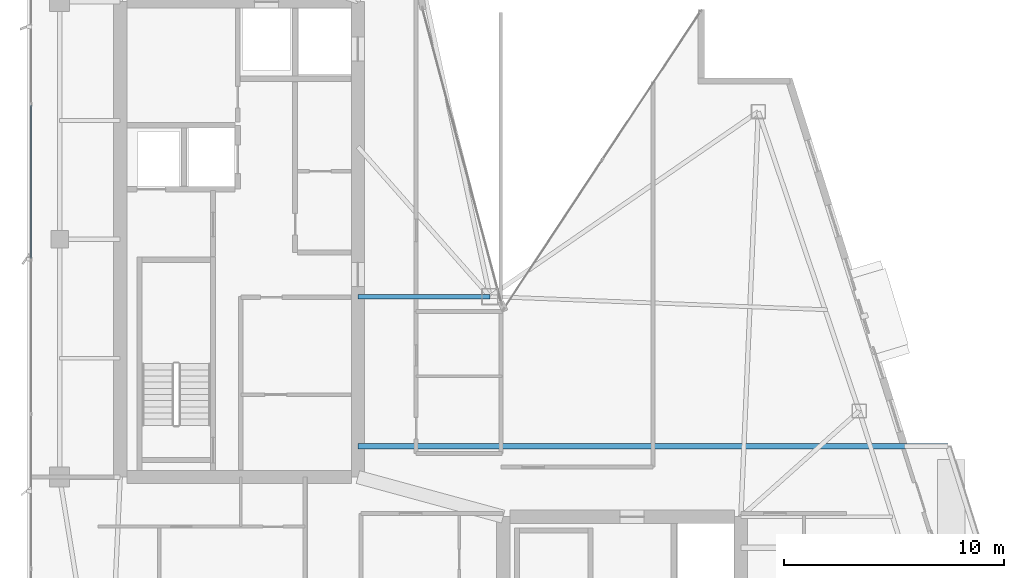
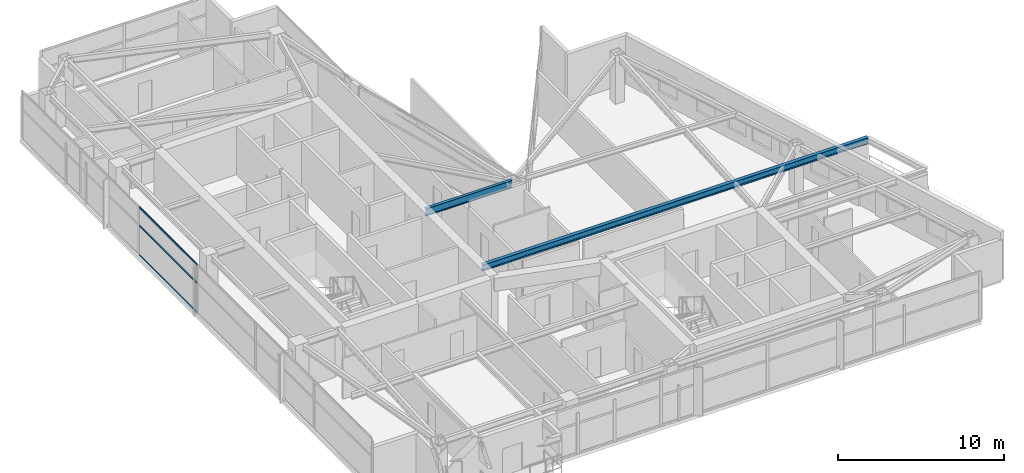
# One storey, part 10 of 28: 3 members, 2 beams, 1 element without a shape of its own.
"""IFC4 building model written with IfcOpenShell, lengths in metres."""

from ifc_helpers import new_model, si_unit, direction, frame, origin, origin_2d, place, context, subcontext, project, spatial, hollow_rectangle, i_section, extrude, material, layer, layer_set, material_profile, profile_set, type_object, element, aggregate, save


model = new_model("IFC4")

# Units and contexts
model_context = context("Model", 3, precision=1e-05, world=origin(), true_north=direction((0.0, 1.0)))
body_context = subcontext(model_context, "Body", "Model", "MODEL_VIEW")
ifc_project = project(units=[si_unit("LENGTHUNIT", "METRE"), si_unit("AREAUNIT", "SQUARE_METRE"), si_unit("VOLUMEUNIT", "CUBIC_METRE"), si_unit("PLANEANGLEUNIT", "RADIAN"), si_unit("MASSUNIT", "GRAM", prefix="KILO")], contexts=[model_context])

# Site, building, storey
site_placement = place(None, origin())
site = spatial("IfcSite", under=ifc_project, at=site_placement, CompositionType="ELEMENT")
building_placement = place(site_placement, origin())
building = spatial("IfcBuilding", under=site, at=building_placement, Name="Calvorn Quay Hotel", CompositionType="ELEMENT")
storey_placement = place(building_placement, frame((0.0, 0.0, 271.10009765625)))
storey = spatial("IfcBuildingStorey", under=building, at=storey_placement, Name="L67", CompositionType="ELEMENT", Elevation=271.10009765625)

# Beams
ifc_material_1 = material(Name="Steel Q355B", Category="steel")
ifc_material_profile_1 = material_profile(ifc_material_1, i_section(OverallWidth=0.25, OverallDepth=0.449951171875, WebThickness=0.011962890625, FlangeThickness=0.01611328125, FilletRadius=0.01611328125, at=origin_2d()), Name="HN450x250x12x16")
ifc_profile_set_1 = profile_set([ifc_material_profile_1], Name="Steel Q355B")
beam_type_1 = type_object("IfcBeamType", Name="BM-CANT-BALC", PredefinedType="BEAM", material=ifc_profile_set_1)
beam_1_placement = place(storey_placement, frame((15.0, 18.199951171875, 3.31494140625), z_axis=(1.0, 0.0, 0.0), x_axis=(0.0, 1.0, 0.0)))
element("IfcBeam", 1, at=beam_1_placement, inside=storey, type_object=beam_type_1, Name="Cantilever Balcony Beam BCB-L68-1B", PredefinedType="BEAM", context=body_context, shape_type="SweptSolid", body=[
    extrude(i_section(OverallWidth=0.25, OverallDepth=0.449951171875, WebThickness=0.011962890625, FlangeThickness=0.01611328125, FilletRadius=0.01611328125, at=origin_2d()), origin(), (0.0, 0.0, 1.0), 26.820068359375),
])
ifc_material_2 = material(Name="Steel Q355B", Category="steel")
ifc_material_profile_2 = material_profile(ifc_material_2, i_section(OverallWidth=0.199951171875, OverallDepth=0.550048828125, WebThickness=0.010009765625, FlangeThickness=0.01611328125, FilletRadius=0.01806640625, at=origin_2d()), Name="HN550x200x10x16")
ifc_profile_set_2 = profile_set([ifc_material_profile_2], Name="Steel Q355B")
beam_type_2 = type_object("IfcBeamType", Name="BM-GIRD-UPP", PredefinedType="BEAM", material=ifc_profile_set_2)
beam_2_placement = place(storey_placement, frame((21.0, 25.0, 3.264892578125), z_axis=(-1.0, 0.0, 0.0), x_axis=(0.0, -1.0, 0.0)))
element("IfcBeam", 2, at=beam_2_placement, inside=storey, type_object=beam_type_2, Name="Beam BG-L67-W7", PredefinedType="BEAM", context=body_context, shape_type="SweptSolid", body=[
    extrude(i_section(OverallWidth=0.199951171875, OverallDepth=0.550048828125, WebThickness=0.010009765625, FlangeThickness=0.01611328125, FilletRadius=0.01806640625, at=origin_2d()), origin(), (0.0, 0.0, 1.0), 6.0),
])

# Curtain wall, members
ifc_material_3 = material(Name="Champagne Bronze Anodised Aluminium and Low-E Glass", Category="aluminium")
ifc_layer = layer(ifc_material_3, 0.219970703125)
ifc_layer_set = layer_set([ifc_layer], Name="CW-SYS-Z4")
curtain_wall_type = type_object("IfcCurtainWallType", Name="CW-SYS-Z4", PredefinedType="NOTDEFINED", material=ifc_layer_set)
curtain_wall_placement = place(storey_placement, origin())
curtain_wall = element("IfcCurtainWall", 3, at=curtain_wall_placement, inside=storey, type_object=curtain_wall_type, Name="Tower West Curtain Wall (L67)", PredefinedType="NOTDEFINED")
ifc_material_4 = material(Name="Champagne Bronze Anodised Aluminium 6063-T6", Category="aluminium")
ifc_material_profile_3 = material_profile(ifc_material_4, hollow_rectangle(XDim=0.054931640625, YDim=0.1298828125, WallThickness=0.003173828125, at=origin_2d()), Name="ALU-T130x55x3.2")
ifc_profile_set_3 = profile_set([ifc_material_profile_3], Name="Champagne Bronze Anodised Aluminium 6063-T6")
member_type = type_object("IfcMemberType", Name="CW-SYS-Z4-TRN", PredefinedType="USERDEFINED", material=ifc_profile_set_3)
member_1_placement = place(storey_placement, frame((0.14990234375, 26.72998046875, 0.02978515625), z_axis=(0.0, 1.0, 0.0), x_axis=(-1.0, 0.0, 0.0)))
member_1 = element("IfcMember", 4, at=member_1_placement, type_object=member_type, Name="CW-L67-W transom 4.1", ObjectType="TRANSOM", PredefinedType="USERDEFINED", context=body_context, shape_type="SweptSolid", body=[
    extrude(hollow_rectangle(XDim=0.054931640625, YDim=0.1298828125, WallThickness=0.003173828125, at=origin_2d()), origin(), (0.0, 0.0, 1.0), 6.973388671875),
])
member_2_placement = place(storey_placement, frame((0.14990234375, 26.72998046875, 2.199951171875), z_axis=(0.0, 1.0, 0.0), x_axis=(-1.0, 0.0, 0.0)))
member_2 = element("IfcMember", 5, at=member_2_placement, type_object=member_type, Name="CW-L67-W transom 4.2", ObjectType="TRANSOM", PredefinedType="USERDEFINED", context=body_context, shape_type="SweptSolid", body=[
    extrude(hollow_rectangle(XDim=0.054931640625, YDim=0.1298828125, WallThickness=0.003173828125, at=origin_2d()), origin(), (0.0, 0.0, 1.0), 6.973388671875),
])
member_3_placement = place(storey_placement, frame((0.14990234375, 26.72998046875, 3.52978515625), z_axis=(0.0, 1.0, 0.0), x_axis=(-1.0, 0.0, 0.0)))
member_3 = element("IfcMember", 6, at=member_3_placement, type_object=member_type, Name="CW-L67-W transom 4.3", ObjectType="TRANSOM", PredefinedType="USERDEFINED", context=body_context, shape_type="SweptSolid", body=[
    extrude(hollow_rectangle(XDim=0.054931640625, YDim=0.1298828125, WallThickness=0.003173828125, at=origin_2d()), origin(), (0.0, 0.0, 1.0), 6.973388671875),
])
aggregate(curtain_wall, [member_1, member_2, member_3])

save(model, "model.ifc")
